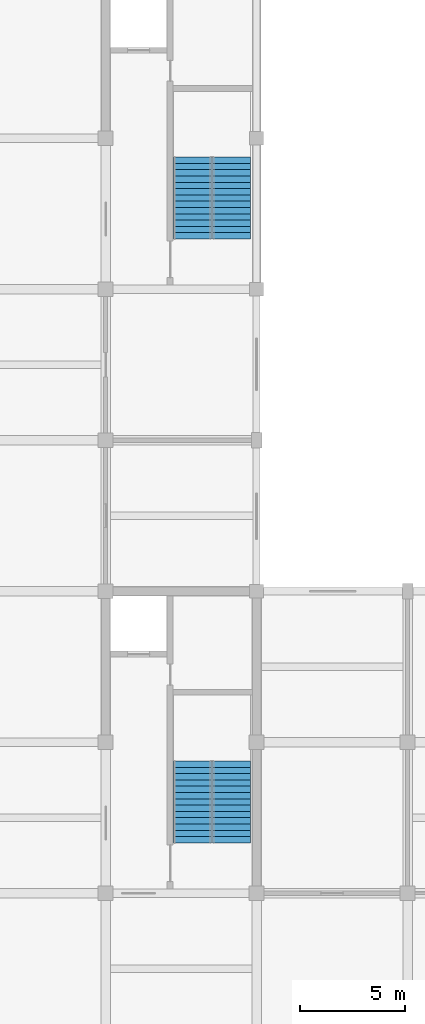
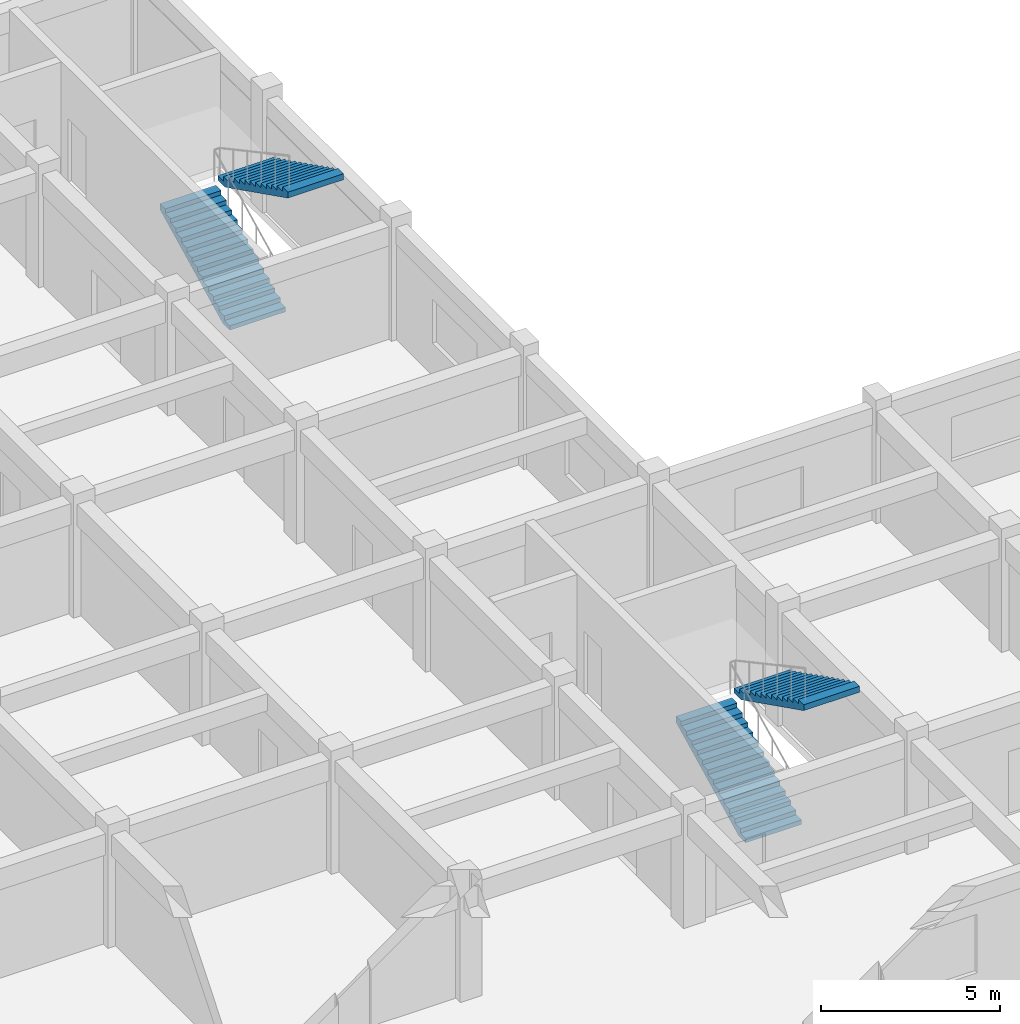
# One storey, part 9 of 10: 4 stair flights, 2 elements without a shape of their own.
"""IFC4 building model written with IfcOpenShell, lengths in metres."""

from ifc_helpers import new_model, si_unit, direction, frame, origin, place, context, subcontext, project, spatial, polyline, outline, extrude, material, type_object, element, aggregate, save


model = new_model("IFC4")

# Units and contexts
model_context = context("Model", 3, precision=1e-05, world=origin(), true_north=direction((0.0, 1.0)))
body_context = subcontext(model_context, "Body", "Model", "MODEL_VIEW")
ifc_project = project(units=[si_unit("LENGTHUNIT", "METRE"), si_unit("AREAUNIT", "SQUARE_METRE"), si_unit("VOLUMEUNIT", "CUBIC_METRE"), si_unit("PLANEANGLEUNIT", "RADIAN"), si_unit("MASSUNIT", "GRAM", prefix="KILO")], contexts=[model_context])

# Site, building, storey
site_placement = place(None, origin())
site = spatial("IfcSite", under=ifc_project, at=site_placement, CompositionType="ELEMENT")
building_placement = place(site_placement, origin())
building = spatial("IfcBuilding", under=site, at=building_placement, Name="Cendaluz Park School", CompositionType="ELEMENT")
storey_placement = place(building_placement, frame((0.0, 0.0, 30.60009765625)))
storey = spatial("IfcBuildingStorey", under=building, at=storey_placement, Name="L07", CompositionType="ELEMENT", Elevation=30.60009765625)

# Stair, stair flights
ifc_material = material(Name="Concrete C40/50", Category="concrete")
stair_type = type_object("IfcStairType", Name="ST-420-180", PredefinedType="HALF_TURN_STAIR", material=ifc_material)
stair_1_placement = place(storey_placement, origin())
stair_1 = element("IfcStair", 1, at=stair_1_placement, inside=storey, type_object=stair_type, Name="ST-L07-C2", PredefinedType="HALF_TURN_STAIR")
stair_flight_type = type_object("IfcStairFlightType", Name="SF-14-150-180", PredefinedType="STRAIGHT", material=ifc_material)
stair_flight_1_placement = place(storey_placement, frame((104.93994140625, 16.800048828125, 0.0), z_axis=(0.0, 0.0, 1.0), x_axis=(0.0, 1.0, 0.0)))
stair_flight_1 = element("IfcStairFlight", 2, at=stair_flight_1_placement, type_object=stair_flight_type, Name="SF-L07-C2-1", NumberOfRisers=14, NumberOfTreads=13, PredefinedType="STRAIGHT", RiserHeight=0.15, TreadLength=0.3, context=body_context, shape_type="SweptSolid", body=[
    extrude(outline(polyline([(0.0, 0.0), (0.0, 0.14990234375), (0.300048828125, 0.14990234375), (0.300048828125, 0.300048828125), (0.60009765625, 0.300048828125), (0.60009765625, 0.449951171875), (0.89990234375, 0.449951171875), (0.89990234375, 0.60009765625), (1.199951171875, 0.60009765625), (1.199951171875, 0.75), (1.5, 0.75), (1.5, 0.89990234375), (1.800048828125, 0.89990234375), (1.800048828125, 1.050048828125), (2.10009765625, 1.050048828125), (2.10009765625, 1.199951171875), (2.39990234375, 1.199951171875), (2.39990234375, 1.35009765625), (2.699951171875, 1.35009765625), (2.699951171875, 1.5), (3.0, 1.5), (3.0, 1.64990234375), (3.300048828125, 1.64990234375), (3.300048828125, 1.800048828125), (3.60009765625, 1.800048828125), (3.60009765625, 1.949951171875), (3.89990234375, 1.949951171875), (3.89990234375, 2.10009765625), (3.89990234375, 1.748779296875), (0.40234375, 0.0), (0.0, 0.0)])), frame((0.0, 0.89990234375, 0.0), z_axis=(0.0, -1.0, 0.0), x_axis=(1.0, 0.0, 0.0)), (0.0, 0.0, 1.0), 1.800048828125),
])
stair_flight_2_placement = place(storey_placement, frame((106.81005859375, 20.699951171875, 2.099853515625), z_axis=(0.0, 0.0, 1.0), x_axis=(0.0, -1.0, 0.0)))
stair_flight_2 = element("IfcStairFlight", 3, at=stair_flight_2_placement, type_object=stair_flight_type, Name="SF-L07-C2-2", NumberOfRisers=14, NumberOfTreads=13, PredefinedType="STRAIGHT", RiserHeight=0.15, TreadLength=0.3, context=body_context, shape_type="SweptSolid", body=[
    extrude(outline(polyline([(0.0, 0.0), (0.0, 0.14990234375), (0.300048828125, 0.14990234375), (0.300048828125, 0.300048828125), (0.60009765625, 0.300048828125), (0.60009765625, 0.449951171875), (0.89990234375, 0.449951171875), (0.89990234375, 0.60009765625), (1.199951171875, 0.60009765625), (1.199951171875, 0.75), (1.5, 0.75), (1.5, 0.89990234375), (1.800048828125, 0.89990234375), (1.800048828125, 1.050048828125), (2.10009765625, 1.050048828125), (2.10009765625, 1.199951171875), (2.39990234375, 1.199951171875), (2.39990234375, 1.35009765625), (2.699951171875, 1.35009765625), (2.699951171875, 1.5), (3.0, 1.5), (3.0, 1.64990234375), (3.300048828125, 1.64990234375), (3.300048828125, 1.800048828125), (3.60009765625, 1.800048828125), (3.60009765625, 1.949951171875), (3.89990234375, 1.949951171875), (3.89990234375, 2.10009765625), (3.89990234375, 1.748779296875), (0.40234375, 0.0), (0.0, 0.0)])), frame((0.0, 0.89990234375, 0.0), z_axis=(0.0, -1.0, 0.0), x_axis=(1.0, 0.0, 0.0)), (0.0, 0.0, 1.0), 1.800048828125),
])
aggregate(stair_1, [stair_flight_1, stair_flight_2])

stair_2_placement = place(storey_placement, origin())
stair_2 = element("IfcStair", 4, at=stair_2_placement, inside=storey, type_object=stair_type, Name="ST-L07-C4", PredefinedType="HALF_TURN_STAIR")
stair_flight_3_placement = place(storey_placement, frame((104.93994140625, 45.60009765625, 0.0), z_axis=(0.0, 0.0, 1.0), x_axis=(0.0, 1.0, 0.0)))
stair_flight_3 = element("IfcStairFlight", 5, at=stair_flight_3_placement, type_object=stair_flight_type, Name="SF-L07-C4-1", NumberOfRisers=14, NumberOfTreads=13, PredefinedType="STRAIGHT", RiserHeight=0.15, TreadLength=0.3, context=body_context, shape_type="SweptSolid", body=[
    extrude(outline(polyline([(0.0, 0.0), (0.0, 0.14990234375), (0.300048828125, 0.14990234375), (0.300048828125, 0.300048828125), (0.60009765625, 0.300048828125), (0.60009765625, 0.449951171875), (0.89990234375, 0.449951171875), (0.89990234375, 0.60009765625), (1.199951171875, 0.60009765625), (1.199951171875, 0.75), (1.5, 0.75), (1.5, 0.89990234375), (1.800048828125, 0.89990234375), (1.800048828125, 1.050048828125), (2.10009765625, 1.050048828125), (2.10009765625, 1.199951171875), (2.39990234375, 1.199951171875), (2.39990234375, 1.35009765625), (2.699951171875, 1.35009765625), (2.699951171875, 1.5), (3.0, 1.5), (3.0, 1.64990234375), (3.300048828125, 1.64990234375), (3.300048828125, 1.800048828125), (3.60009765625, 1.800048828125), (3.60009765625, 1.949951171875), (3.89990234375, 1.949951171875), (3.89990234375, 2.10009765625), (3.89990234375, 1.748779296875), (0.40234375, 0.0), (0.0, 0.0)])), frame((0.0, 0.89990234375, 0.0), z_axis=(0.0, -1.0, 0.0), x_axis=(1.0, 0.0, 0.0)), (0.0, 0.0, 1.0), 1.800048828125),
])
stair_flight_4_placement = place(storey_placement, frame((106.81005859375, 49.5, 2.099853515625), z_axis=(0.0, 0.0, 1.0), x_axis=(0.0, -1.0, 0.0)))
stair_flight_4 = element("IfcStairFlight", 6, at=stair_flight_4_placement, type_object=stair_flight_type, Name="SF-L07-C4-2", NumberOfRisers=14, NumberOfTreads=13, PredefinedType="STRAIGHT", RiserHeight=0.15, TreadLength=0.3, context=body_context, shape_type="SweptSolid", body=[
    extrude(outline(polyline([(0.0, 0.0), (0.0, 0.14990234375), (0.300048828125, 0.14990234375), (0.300048828125, 0.300048828125), (0.60009765625, 0.300048828125), (0.60009765625, 0.449951171875), (0.89990234375, 0.449951171875), (0.89990234375, 0.60009765625), (1.199951171875, 0.60009765625), (1.199951171875, 0.75), (1.5, 0.75), (1.5, 0.89990234375), (1.800048828125, 0.89990234375), (1.800048828125, 1.050048828125), (2.10009765625, 1.050048828125), (2.10009765625, 1.199951171875), (2.39990234375, 1.199951171875), (2.39990234375, 1.35009765625), (2.699951171875, 1.35009765625), (2.699951171875, 1.5), (3.0, 1.5), (3.0, 1.64990234375), (3.300048828125, 1.64990234375), (3.300048828125, 1.800048828125), (3.60009765625, 1.800048828125), (3.60009765625, 1.949951171875), (3.89990234375, 1.949951171875), (3.89990234375, 2.10009765625), (3.89990234375, 1.748779296875), (0.40234375, 0.0), (0.0, 0.0)])), frame((0.0, 0.89990234375, 0.0), z_axis=(0.0, -1.0, 0.0), x_axis=(1.0, 0.0, 0.0)), (0.0, 0.0, 1.0), 1.800048828125),
])
aggregate(stair_2, [stair_flight_3, stair_flight_4])

save(model, "model.ifc")
